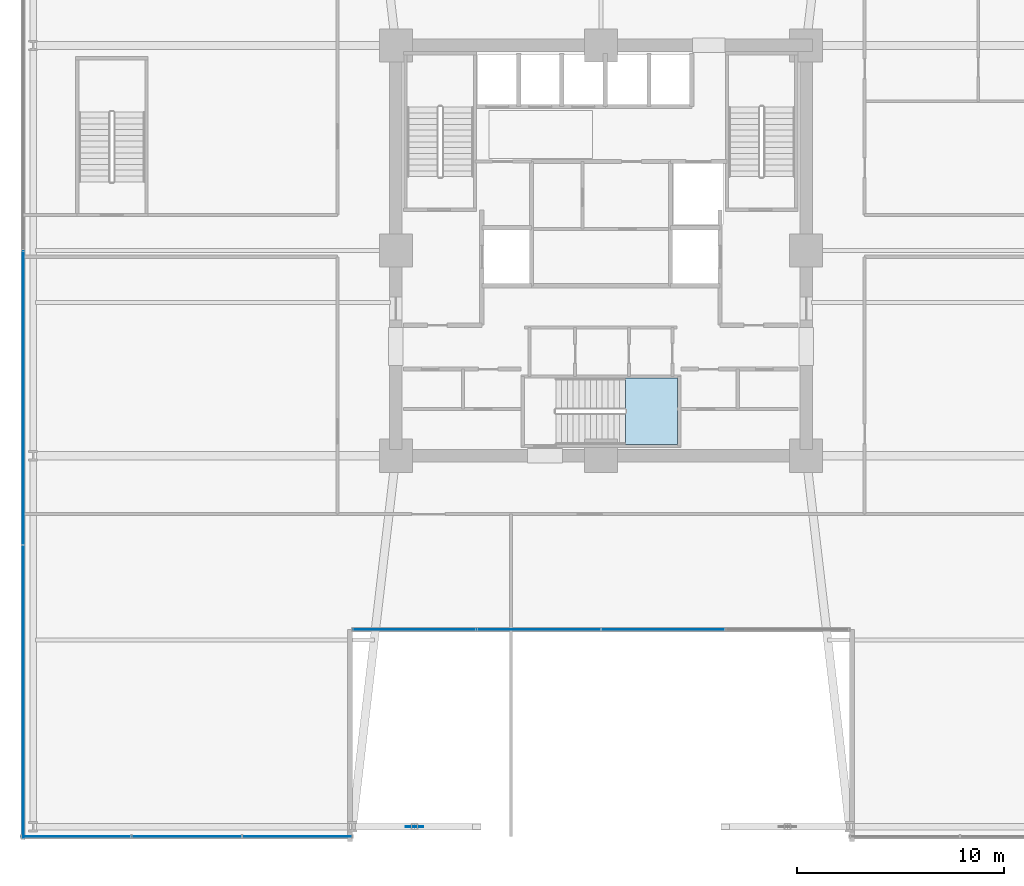
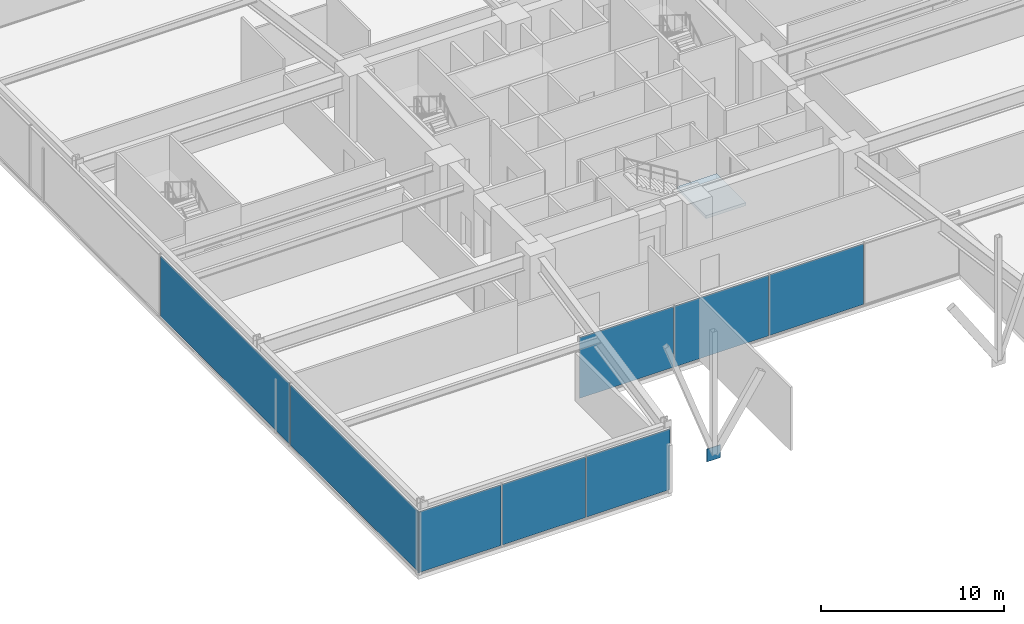
# One storey, part 37 of 47: 9 plates, 1 slab, 4 elements without a shape of their own.
"""IFC4 building model written with IfcOpenShell, lengths in metres."""

from ifc_helpers import new_model, si_unit, direction, frame, origin, origin_2d, place, context, subcontext, project, spatial, polyline, rectangle, outline, extrude, material, layer, layer_set, type_object, element, aggregate, save


model = new_model("IFC4")

# Units and contexts
model_context = context("Model", 3, precision=1e-05, world=origin(), true_north=direction((0.0, 1.0)))
body_context = subcontext(model_context, "Body", "Model", "MODEL_VIEW")
ifc_project = project(units=[si_unit("LENGTHUNIT", "METRE"), si_unit("AREAUNIT", "SQUARE_METRE"), si_unit("VOLUMEUNIT", "CUBIC_METRE"), si_unit("PLANEANGLEUNIT", "RADIAN"), si_unit("MASSUNIT", "GRAM", prefix="KILO")], contexts=[model_context])

# Site, building, storey
site_placement = place(None, origin())
site = spatial("IfcSite", under=ifc_project, at=site_placement, CompositionType="ELEMENT")
building_placement = place(site_placement, origin())
building = spatial("IfcBuilding", under=site, at=building_placement, Name="Kolvaren Belvedere", CompositionType="ELEMENT")
storey_placement = place(building_placement, frame((0.0, 0.0, 5.5)))
storey = spatial("IfcBuildingStorey", under=building, at=storey_placement, Name="L02", CompositionType="ELEMENT", Elevation=5.5)

# Curtain wall, plates
ifc_material_1 = material(Name="Anodised pale-metal aluminium AA 6063-T6", Category="aluminium")
curtain_wall_type = type_object("IfcCurtainWallType", Name="CW-POD-A", PredefinedType="NOTDEFINED", material=ifc_material_1)
curtain_wall_1_placement = place(storey_placement, origin())
curtain_wall_1 = element("IfcCurtainWall", 1, at=curtain_wall_1_placement, inside=storey, type_object=curtain_wall_type, Name="L02 Unitised Curtain Wall FCW-L02-SEG1", PredefinedType="NOTDEFINED")
ifc_material_2 = material(Name="Low-iron laminated vision glass", Category="glass")
ifc_layer_1 = layer(ifc_material_2, 0.031982421875)
ifc_layer_set_1 = layer_set([ifc_layer_1], Name="Low-iron laminated vision glass")
plate_type_1 = type_object("IfcPlateType", Name="CW-PNL-VIS32", PredefinedType="CURTAIN_PANEL", material=ifc_layer_set_1)
plate_1_placement = place(storey_placement, frame((-14.666748046875, -28.280029296875, 0.080078125), z_axis=(0.0, 0.0, 1.0), x_axis=(-1.0, 0.0, 0.0)))
plate_1 = element("IfcPlate", 2, at=plate_1_placement, type_object=plate_type_1, Name="FCW-L02-SEG1 Vision Glazing Panel 1", PredefinedType="CURTAIN_PANEL", context=body_context, shape_type="SweptSolid", body=[
    extrude(rectangle(XDim=5.25341796875, YDim=0.031982421875, at=origin_2d()), origin(), (0.0, 0.0, 1.0), 4.06005859375),
])
plate_2_placement = place(storey_placement, frame((-20.0, -28.280029296875, 0.080078125), z_axis=(0.0, 0.0, 1.0), x_axis=(-1.0, 0.0, 0.0)))
plate_2 = element("IfcPlate", 3, at=plate_2_placement, type_object=plate_type_1, Name="FCW-L02-SEG1 Vision Glazing Panel 2", PredefinedType="CURTAIN_PANEL", context=body_context, shape_type="SweptSolid", body=[
    extrude(rectangle(XDim=5.25341796875, YDim=0.031982421875, at=origin_2d()), origin(), (0.0, 0.0, 1.0), 4.06005859375),
])
plate_3_placement = place(storey_placement, frame((-25.333251953125, -28.280029296875, 0.080078125), z_axis=(0.0, 0.0, 1.0), x_axis=(-1.0, 0.0, 0.0)))
plate_3 = element("IfcPlate", 4, at=plate_3_placement, type_object=plate_type_1, Name="FCW-L02-SEG1 Vision Glazing Panel 3", PredefinedType="CURTAIN_PANEL", context=body_context, shape_type="SweptSolid", body=[
    extrude(rectangle(XDim=5.25341796875, YDim=0.031982421875, at=origin_2d()), origin(), (0.0, 0.0, 1.0), 4.06005859375),
])
aggregate(curtain_wall_1, [plate_1, plate_2, plate_3])

curtain_wall_2_placement = place(storey_placement, origin())
curtain_wall_2 = element("IfcCurtainWall", 5, at=curtain_wall_2_placement, inside=storey, type_object=curtain_wall_type, Name="L02 Unitised Curtain Wall FCW-L02-SEG3", PredefinedType="NOTDEFINED")
plate_4_placement = place(storey_placement, frame((3.0, -18.280029296875, 0.080078125), z_axis=(0.0, 0.0, 1.0), x_axis=(-1.0, 0.0, 0.0)))
plate_4 = element("IfcPlate", 6, at=plate_4_placement, type_object=plate_type_1, Name="FCW-L02-SEG3 Vision Glazing Panel 2", PredefinedType="CURTAIN_PANEL", context=body_context, shape_type="SweptSolid", body=[
    extrude(rectangle(XDim=5.919921875, YDim=0.031982421875, at=origin_2d()), origin(), (0.0, 0.0, 1.0), 4.06005859375),
])
plate_5_placement = place(storey_placement, frame((-3.0, -18.280029296875, 0.080078125), z_axis=(0.0, 0.0, 1.0), x_axis=(-1.0, 0.0, 0.0)))
plate_5 = element("IfcPlate", 7, at=plate_5_placement, type_object=plate_type_1, Name="FCW-L02-SEG3 Vision Glazing Panel 3", PredefinedType="CURTAIN_PANEL", context=body_context, shape_type="SweptSolid", body=[
    extrude(rectangle(XDim=5.919921875, YDim=0.031982421875, at=origin_2d()), origin(), (0.0, 0.0, 1.0), 4.06005859375),
])
plate_6_placement = place(storey_placement, frame((-9.0, -18.280029296875, 0.080078125), z_axis=(0.0, 0.0, 1.0), x_axis=(-1.0, 0.0, 0.0)))
plate_6 = element("IfcPlate", 8, at=plate_6_placement, type_object=plate_type_1, Name="FCW-L02-SEG3 Vision Glazing Panel 4", PredefinedType="CURTAIN_PANEL", context=body_context, shape_type="SweptSolid", body=[
    extrude(rectangle(XDim=5.919921875, YDim=0.031982421875, at=origin_2d()), origin(), (0.0, 0.0, 1.0), 4.06005859375),
])
aggregate(curtain_wall_2, [plate_4, plate_5, plate_6])

curtain_wall_3_placement = place(storey_placement, origin())
curtain_wall_3 = element("IfcCurtainWall", 9, at=curtain_wall_3_placement, inside=storey, type_object=curtain_wall_type, Name="L02 Unitised Curtain Wall FCW-L02-SEG8", PredefinedType="NOTDEFINED")
plate_7_placement = place(storey_placement, frame((-27.8798828125, -21.300048828125, 0.080078125), z_axis=(0.0, 0.0, 1.0), x_axis=(0.0, 1.0, 0.0)))
plate_7 = element("IfcPlate", 10, at=plate_7_placement, type_object=plate_type_1, Name="FCW-L02-SEG8 Vision Glazing Panel 1", PredefinedType="CURTAIN_PANEL", context=body_context, shape_type="SweptSolid", body=[
    extrude(rectangle(XDim=14.1201171875, YDim=0.031982421875, at=origin_2d()), origin(), (0.0, 0.0, 1.0), 4.06005859375),
])
plate_8_placement = place(storey_placement, frame((-27.8798828125, -7.10009765625, 0.080078125), z_axis=(0.0, 0.0, 1.0), x_axis=(0.0, 1.0, 0.0)))
plate_8 = element("IfcPlate", 11, at=plate_8_placement, type_object=plate_type_1, Name="FCW-L02-SEG8 Vision Glazing Panel 2", PredefinedType="CURTAIN_PANEL", context=body_context, shape_type="SweptSolid", body=[
    extrude(rectangle(XDim=14.1201171875, YDim=0.031982421875, at=origin_2d()), origin(), (0.0, 0.0, 1.0), 4.06005859375),
])
aggregate(curtain_wall_3, [plate_7, plate_8])

# Plate
ifc_material_3 = material(Name="Structural steel ASTM A572 Grade 50", Category="steel")
ifc_layer_2 = layer(ifc_material_3, 0.0400390625)
ifc_layer_set_2 = layer_set([ifc_layer_2], Name="Structural steel ASTM A572 Grade 50")
plate_type_2 = type_object("IfcPlateType", Name="PL-GUSSET-40", PredefinedType="USERDEFINED", material=ifc_layer_set_2)
plate_9_placement = place(storey_placement, frame((-9.0, -27.800048828125, 0.71875), z_axis=(0.0, 0.0, 1.0), x_axis=(1.0, 0.0, 0.0)))
element("IfcPlate", 12, at=plate_9_placement, inside=storey, type_object=plate_type_2, Name="Portal Arch Gusset Plate AN-2", ObjectType="GUSSET PLATE", PredefinedType="USERDEFINED", context=body_context, shape_type="SweptSolid", body=[
    extrude(rectangle(XDim=0.85009765625, YDim=0.0400390625, at=origin_2d()), origin(), (0.0, 0.0, 1.0), 0.85009765625),
])

# Stair, slab
ifc_material_4 = material(Name="Concrete C50/60", Category="concrete")
stair_type = type_object("IfcStairType", Name="ST-CORE-1520", PredefinedType="HALF_TURN_STAIR", material=ifc_material_4)
stair_placement = place(storey_placement, origin())
stair = element("IfcStair", 13, at=stair_placement, inside=storey, type_object=stair_type, Name="L02 Protected Exit Stair ST-3", PredefinedType="HALF_TURN_STAIR")
ifc_material_5 = material(Name="Concrete C50/60", Category="concrete")
ifc_layer_3 = layer(ifc_material_5, 0.260009765625)
ifc_layer_set_3 = layer_set([ifc_layer_3], Name="Concrete C50/60")
slab_type = type_object("IfcSlabType", Name="SL-LAND-260", PredefinedType="LANDING", material=ifc_layer_set_3)
slab_placement = place(storey_placement, frame((0.0, 0.0, 2.050048828125)))
slab = element("IfcSlab", 14, at=slab_placement, type_object=slab_type, Name="ST-3 landing 1", PredefinedType="LANDING", context=body_context, shape_type="SweptSolid", body=[
    extrude(outline(polyline([(1.179931640625, -9.35009765625), (3.699951171875, -9.35009765625), (3.699951171875, -6.159912109375), (1.179931640625, -6.159912109375), (1.179931640625, -9.35009765625)])), origin(), (0.0, 0.0, 1.0), 0.199951171875),
])
aggregate(stair, [slab])

save(model, "model.ifc")
